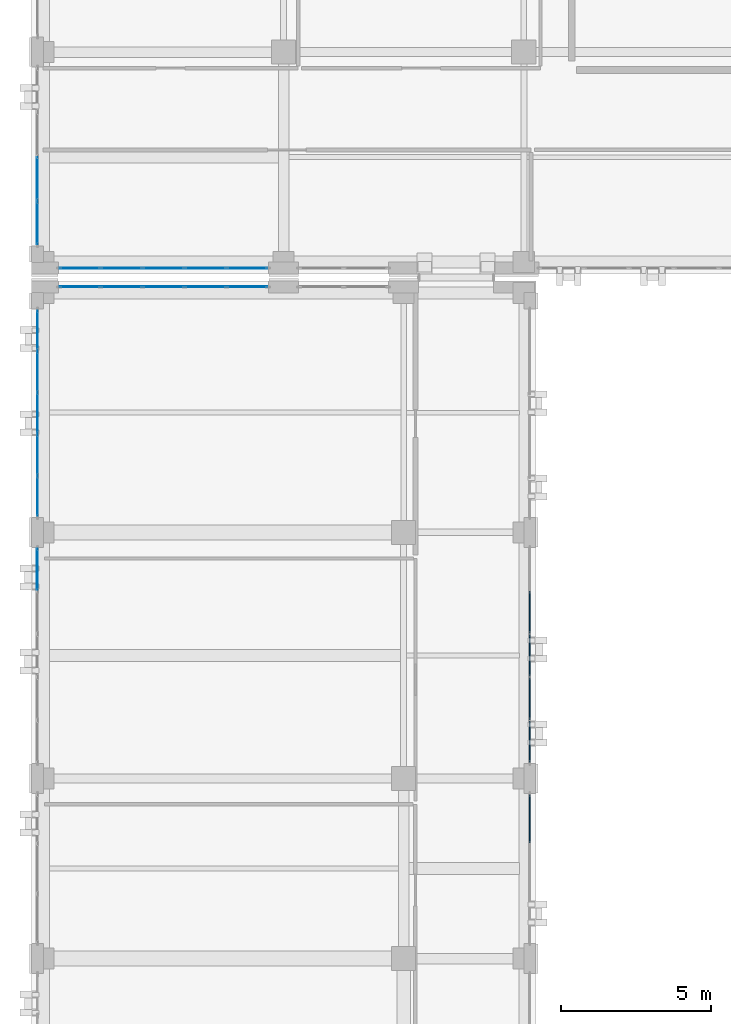
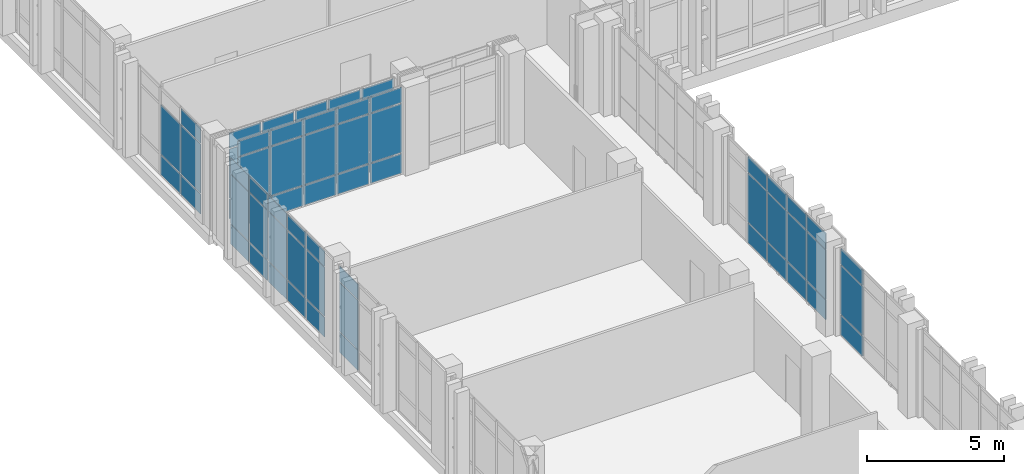
# One storey, part 121 of 158: 68 plates, 7 elements without a shape of their own.
"""IFC4 building model written with IfcOpenShell, lengths in metres."""

import ifcopenshell
import ifcopenshell.guid

model = None  # the IFC model being written
_history = None  # IfcOwnerHistory: only IFC2X3 demands one
_inside = {}  # id of a spatial element -> (the spatial element, [elements in it])
_under = {}  # id of a project, library or spatial element -> (it, [spatial elements below it])
_declared = {}  # id of a project -> (the project, [libraries it declares])
_typed = {}  # id of a type object -> (the type object, [elements of that type])
_made_of = {}  # id of a material, layer set ... -> (it, [elements and type objects made of it])


def new_model(schema):
    """Start an empty IFC model of exactly this schema.

    Asked for "IFC4X3", IfcOpenShell would pick the latest addendum, in which some entities
    have other attributes; the version numbers below select the first issue.
    IFC2X3 requires an IfcOwnerHistory on every rooted entity: one is made here for all.
    """
    global model, _history
    if schema == "IFC4X3":
        model = ifcopenshell.file(schema_version=(4, 3, 0, 0))
    else:
        model = ifcopenshell.file(schema=schema)
    _inside.clear()
    _under.clear()
    _declared.clear()
    _typed.clear()
    _made_of.clear()
    _history = None
    if model.schema == "IFC2X3":
        org = make("IfcOrganization", Name="unknown")
        user = make(
            "IfcPersonAndOrganization",
            ThePerson=make("IfcPerson", FamilyName="unknown"),
            TheOrganization=org,
        )
        app = make(
            "IfcApplication",
            ApplicationDeveloper=org,
            Version="unknown",
            ApplicationFullName="unknown",
            ApplicationIdentifier="unknown",
        )
        _history = make(
            "IfcOwnerHistory",
            OwningUser=user,
            OwningApplication=app,
            ChangeAction="ADDED",
            CreationDate=0,
        )
    return model


def make(cls, **values):
    """One entity of the class cls with the attributes given. An attribute that is None is left unset."""
    return model.create_entity(
        cls, **{name: value for name, value in values.items() if value is not None}
    )


def rooted(cls, **values):
    """An entity with a GlobalId (a new one), such as an element, a storey or a relation."""
    return make(cls, GlobalId=ifcopenshell.guid.new(), OwnerHistory=_history, **values)


def si_unit(unit_type, name, prefix=None):
    """IfcSIUnit, for example si_unit("LENGTHUNIT", "METRE", prefix="MILLI")."""
    return make("IfcSIUnit", UnitType=unit_type, Prefix=prefix, Name=name)


def assignment(units):
    """IfcUnitAssignment: the units of a project."""
    return None if units is None else make("IfcUnitAssignment", Units=units)


def point(xyz):
    """IfcCartesianPoint."""
    return None if xyz is None else make("IfcCartesianPoint", Coordinates=xyz)


def direction(xyz):
    """IfcDirection."""
    return None if xyz is None else make("IfcDirection", DirectionRatios=xyz)


def frame(location, z_axis=None, x_axis=None):
    """IfcAxis2Placement3D, a coordinate frame: its origin and axes. An axis left out is left unset."""
    return make(
        "IfcAxis2Placement3D",
        Location=point(location),
        Axis=direction(z_axis),
        RefDirection=direction(x_axis),
    )


def frame_2d(location, x_axis=None):
    """IfcAxis2Placement2D, a coordinate frame in the plane: its origin and x axis."""
    return make(
        "IfcAxis2Placement2D", Location=point(location), RefDirection=direction(x_axis)
    )


def origin():
    """The frame at (0, 0, 0) with its axes left unset."""
    return frame((0.0, 0.0, 0.0))


def origin_2d():
    """The frame at (0, 0) in the plane with its x axis left unset."""
    return frame_2d((0.0, 0.0))


def place(relative_to, where):
    """IfcLocalPlacement: puts the frame where relative to a parent placement (None: the world)."""
    return make(
        "IfcLocalPlacement", PlacementRelTo=relative_to, RelativePlacement=where
    )


def context(
    kind, dimensions, precision=None, world=None, true_north=None, identifier=None
):
    """IfcGeometricRepresentationContext, for example the 3D "Model" context."""
    return make(
        "IfcGeometricRepresentationContext",
        ContextIdentifier=identifier,
        ContextType=kind,
        CoordinateSpaceDimension=dimensions,
        Precision=precision,
        WorldCoordinateSystem=world,
        TrueNorth=true_north,
    )


def subcontext(parent, identifier, kind, view, scale=None):
    """IfcGeometricRepresentationSubContext, for example "Body" below "Model"."""
    return make(
        "IfcGeometricRepresentationSubContext",
        ContextIdentifier=identifier,
        ContextType=kind,
        ParentContext=parent,
        TargetScale=scale,
        TargetView=view,
    )


def project(units=None, contexts=None):
    """IfcProject with its units and contexts."""
    return rooted(
        "IfcProject",
        Name="project",
        RepresentationContexts=contexts,
        UnitsInContext=assignment(units),
    )


def spatial(cls, under=None, at=None, **own):
    """A site, building, storey or space (cls), placed at a placement, below another one or the project."""
    s = rooted(cls, ObjectPlacement=at, **own)
    if under is not None:
        _under.setdefault(under.id(), (under, []))[1].append(s)
    return s


def profile(cls, at=None, kind="AREA", **sizes):
    """A parametric profile (cls). Its sizes go by their IFC names, for example OverallWidth=200.0."""
    return make(cls, ProfileType=kind, Position=at, **sizes)


def rectangle(**sizes):
    """IfcRectangleProfileDef."""
    return profile("IfcRectangleProfileDef", **sizes)


def extrude(swept, where, along, depth):
    """IfcExtrudedAreaSolid: the profile swept, set in the frame where, extruded along a direction by depth."""
    return make(
        "IfcExtrudedAreaSolid",
        SweptArea=swept,
        Position=where,
        ExtrudedDirection=direction(along),
        Depth=depth,
    )


def shape(context_of_items, identifier, shape_type, items):
    """IfcShapeRepresentation: the items that make up one representation, for example the "Body"."""
    return make(
        "IfcShapeRepresentation",
        ContextOfItems=context_of_items,
        RepresentationIdentifier=identifier,
        RepresentationType=shape_type,
        Items=items,
    )


def material(Name=None, Category=None):
    """IfcMaterial."""
    return make("IfcMaterial", Name=Name, Category=Category)


def layer(
    of_material, thickness, ventilated=None, Name=None, Category=None, Priority=None
):
    """IfcMaterialLayer: one layer of a wall or slab, of a material (None: an air gap)."""
    return make(
        "IfcMaterialLayer",
        Material=of_material,
        LayerThickness=thickness,
        IsVentilated=ventilated,
        Name=Name,
        Category=Category,
        Priority=Priority,
    )


def layer_set(layers, Name=None):
    """IfcMaterialLayerSet."""
    return make("IfcMaterialLayerSet", MaterialLayers=layers, LayerSetName=Name)


def made_of(thing, what):
    """Note that an element or type object is made of a material, layer set ...; save() writes the relation."""
    if what is not None:
        _made_of.setdefault(what.id(), (what, []))[1].append(thing)
    return thing


def type_object(cls, material=None, **own):
    """A type object (cls), such as IfcWallType, which elements share."""
    return made_of(rooted(cls, **own), material)


def element(
    cls,
    number,
    at=None,
    inside=None,
    cuts=None,
    type_object=None,
    material=None,
    context=None,
    identifier="Body",
    shape_type=None,
    held_by="IfcProductDefinitionShape",
    body=None,
    shapes=None,
    **own,
):
    """One element of the class cls, such as IfcWall. Its Tag is "e" and its number.

    at: its placement. inside: the storey or other place that contains it. cuts: it is an
    opening in that element (IfcRelVoidsElement). A single representation is given by context,
    identifier, shape_type and body (its items); several are given by shapes. held_by: the class
    of the entity that holds the representations. save() writes the other relations.
    """
    e = rooted(cls, Tag="e%d" % number, ObjectPlacement=at, **own)
    if body is not None:
        shapes = [shape(context, identifier, shape_type, body)]
    if shapes is not None:
        e.Representation = make(held_by, Representations=shapes)
    if inside is not None:
        _inside.setdefault(inside.id(), (inside, []))[1].append(e)
    if cuts is not None:
        rooted(
            "IfcRelVoidsElement", RelatingBuildingElement=cuts, RelatedOpeningElement=e
        )
    if type_object is not None:
        _typed.setdefault(type_object.id(), (type_object, []))[1].append(e)
    return made_of(e, material)


def aggregate(whole, parts):
    """IfcRelAggregates: a whole, such as a stair, and the parts it consists of."""
    return rooted("IfcRelAggregates", RelatingObject=whole, RelatedObjects=parts)


def save(model, path):
    """Write the relations noted so far, then the file.

    IfcRelAggregates (storeys below a building ...), IfcRelContainedInSpatialStructure (elements
    in a storey), IfcRelDefinesByType, IfcRelAssociatesMaterial and IfcRelDeclares: one each for
    every whole, place, type object, material and project.
    """
    for whole, parts in _under.values():
        aggregate(whole, parts)
    for where, things in _inside.values():
        rooted(
            "IfcRelContainedInSpatialStructure",
            RelatedElements=things,
            RelatingStructure=where,
        )
    for kind, things in _typed.values():
        rooted("IfcRelDefinesByType", RelatedObjects=things, RelatingType=kind)
    for what, things in _made_of.values():
        rooted("IfcRelAssociatesMaterial", RelatedObjects=things, RelatingMaterial=what)
    for by, libraries in _declared.values():
        rooted("IfcRelDeclares", RelatingContext=by, RelatedDefinitions=libraries)
    model.write(path)


model = new_model("IFC4")

# Units and contexts
model_context = context("Model", 3, precision=1e-05, world=origin(), true_north=direction((0.0, 1.0)))
body_context = subcontext(model_context, "Body", "Model", "MODEL_VIEW")
ifc_project = project(units=[si_unit("LENGTHUNIT", "METRE"), si_unit("AREAUNIT", "SQUARE_METRE"), si_unit("VOLUMEUNIT", "CUBIC_METRE"), si_unit("PLANEANGLEUNIT", "RADIAN"), si_unit("MASSUNIT", "GRAM", prefix="KILO")], contexts=[model_context])

# Site, building, storey
site_placement = place(None, origin())
site = spatial("IfcSite", under=ifc_project, at=site_placement, CompositionType="ELEMENT")
building_placement = place(site_placement, origin())
building = spatial("IfcBuilding", under=site, at=building_placement, Name="Qalavern Law Courts", CompositionType="ELEMENT")
storey_placement = place(building_placement, frame((0.0, 0.0, 18.60009765625)))
storey = spatial("IfcBuildingStorey", under=building, at=storey_placement, Name="L04", CompositionType="ELEMENT", Elevation=18.60009765625)

# Curtain wall, plates
ifc_material_1 = material(Name="Anodised aluminium and insulated glazing", Category="aluminium")
ifc_layer_1 = layer(ifc_material_1, 0.159912109375)
ifc_layer_set_1 = layer_set([ifc_layer_1], Name="Anodised aluminium and insulated glazing")
curtain_wall_type_1 = type_object("IfcCurtainWallType", Name="ENV-CW-CHAMB", PredefinedType="USERDEFINED", material=ifc_layer_set_1)
curtain_wall_1_placement = place(storey_placement, origin())
curtain_wall_1 = element("IfcCurtainWall", 1, at=curtain_wall_1_placement, inside=storey, type_object=curtain_wall_type_1, Name="V3 unitised curtain wall L04 west 1", ObjectType="UNITISED CURTAIN WALL", PredefinedType="USERDEFINED")
ifc_material_2 = material(Name="Insulated low-E acoustic glazing", Category="glass")
ifc_layer_2 = layer(ifc_material_2, 0.02392578125)
ifc_layer_set_2 = layer_set([ifc_layer_2], Name="Insulated low-E acoustic glazing")
plate_type_1 = type_object("IfcPlateType", Name="ENV-CWP-24", PredefinedType="CURTAIN_PANEL", material=ifc_layer_set_2)
plate_1_placement = place(storey_placement, frame((2.199951171875, 94.32958984375, 0.0478515625), z_axis=(0.0, 0.0, 1.0), x_axis=(0.0, -1.0, 0.0)))
plate_1 = element("IfcPlate", 2, at=plate_1_placement, type_object=plate_type_1, Name="CW-04 panel 1.1", PredefinedType="CURTAIN_PANEL", context=body_context, shape_type="SweptSolid", body=[
    extrude(rectangle(XDim=1.31494140625, YDim=0.02392578125, at=origin_2d()), origin(), (0.0, 0.0, 1.0), 0.8779296875),
])
plate_2_placement = place(storey_placement, frame((2.199951171875, 94.32958984375, 0.97412109375), z_axis=(0.0, 0.0, 1.0), x_axis=(0.0, -1.0, 0.0)))
plate_2 = element("IfcPlate", 3, at=plate_2_placement, type_object=plate_type_1, Name="CW-04 panel 1.2", PredefinedType="CURTAIN_PANEL", context=body_context, shape_type="SweptSolid", body=[
    extrude(rectangle(XDim=1.31494140625, YDim=0.02392578125, at=origin_2d()), origin(), (0.0, 0.0, 1.0), 2.177001953125),
])
plate_3_placement = place(storey_placement, frame((2.199951171875, 94.32958984375, 3.19873046875), z_axis=(0.0, 0.0, 1.0), x_axis=(0.0, -1.0, 0.0)))
plate_3 = element("IfcPlate", 4, at=plate_3_placement, type_object=plate_type_1, Name="CW-04 panel 1.3", PredefinedType="CURTAIN_PANEL", context=body_context, shape_type="SweptSolid", body=[
    extrude(rectangle(XDim=1.31494140625, YDim=0.02392578125, at=origin_2d()), origin(), (0.0, 0.0, 1.0), 0.677978515625),
])
plate_4_placement = place(storey_placement, frame((2.199951171875, 92.95458984375, 0.0478515625), z_axis=(0.0, 0.0, 1.0), x_axis=(0.0, -1.0, 0.0)))
plate_4 = element("IfcPlate", 5, at=plate_4_placement, type_object=plate_type_1, Name="CW-04 panel 2.1", PredefinedType="CURTAIN_PANEL", context=body_context, shape_type="SweptSolid", body=[
    extrude(rectangle(XDim=1.339111328125, YDim=0.02392578125, at=origin_2d()), origin(), (0.0, 0.0, 1.0), 0.8779296875),
])
plate_5_placement = place(storey_placement, frame((2.199951171875, 92.95458984375, 0.97412109375), z_axis=(0.0, 0.0, 1.0), x_axis=(0.0, -1.0, 0.0)))
plate_5 = element("IfcPlate", 6, at=plate_5_placement, type_object=plate_type_1, Name="CW-04 panel 2.2", PredefinedType="CURTAIN_PANEL", context=body_context, shape_type="SweptSolid", body=[
    extrude(rectangle(XDim=1.339111328125, YDim=0.02392578125, at=origin_2d()), origin(), (0.0, 0.0, 1.0), 2.177001953125),
])
plate_6_placement = place(storey_placement, frame((2.199951171875, 92.95458984375, 3.19873046875), z_axis=(0.0, 0.0, 1.0), x_axis=(0.0, -1.0, 0.0)))
plate_6 = element("IfcPlate", 7, at=plate_6_placement, type_object=plate_type_1, Name="CW-04 panel 2.3", PredefinedType="CURTAIN_PANEL", context=body_context, shape_type="SweptSolid", body=[
    extrude(rectangle(XDim=1.339111328125, YDim=0.02392578125, at=origin_2d()), origin(), (0.0, 0.0, 1.0), 0.677978515625),
])
plate_7_placement = place(storey_placement, frame((2.199951171875, 91.5673828125, 0.0478515625), z_axis=(0.0, 0.0, 1.0), x_axis=(0.0, -1.0, 0.0)))
plate_7 = element("IfcPlate", 8, at=plate_7_placement, type_object=plate_type_1, Name="CW-04 panel 3.1", PredefinedType="CURTAIN_PANEL", context=body_context, shape_type="SweptSolid", body=[
    extrude(rectangle(XDim=1.339111328125, YDim=0.02392578125, at=origin_2d()), origin(), (0.0, 0.0, 1.0), 0.8779296875),
])
plate_8_placement = place(storey_placement, frame((2.199951171875, 91.5673828125, 0.97412109375), z_axis=(0.0, 0.0, 1.0), x_axis=(0.0, -1.0, 0.0)))
plate_8 = element("IfcPlate", 9, at=plate_8_placement, type_object=plate_type_1, Name="CW-04 panel 3.2", PredefinedType="CURTAIN_PANEL", context=body_context, shape_type="SweptSolid", body=[
    extrude(rectangle(XDim=1.339111328125, YDim=0.02392578125, at=origin_2d()), origin(), (0.0, 0.0, 1.0), 2.177001953125),
])
plate_9_placement = place(storey_placement, frame((2.199951171875, 91.5673828125, 3.19873046875), z_axis=(0.0, 0.0, 1.0), x_axis=(0.0, -1.0, 0.0)))
plate_9 = element("IfcPlate", 10, at=plate_9_placement, type_object=plate_type_1, Name="CW-04 panel 3.3", PredefinedType="CURTAIN_PANEL", context=body_context, shape_type="SweptSolid", body=[
    extrude(rectangle(XDim=1.339111328125, YDim=0.02392578125, at=origin_2d()), origin(), (0.0, 0.0, 1.0), 0.677978515625),
])
plate_10_placement = place(storey_placement, frame((2.199951171875, 90.180419921875, 0.0478515625), z_axis=(0.0, 0.0, 1.0), x_axis=(0.0, -1.0, 0.0)))
plate_10 = element("IfcPlate", 11, at=plate_10_placement, type_object=plate_type_1, Name="CW-04 panel 4.1", PredefinedType="CURTAIN_PANEL", context=body_context, shape_type="SweptSolid", body=[
    extrude(rectangle(XDim=1.339111328125, YDim=0.02392578125, at=origin_2d()), origin(), (0.0, 0.0, 1.0), 0.8779296875),
])
plate_11_placement = place(storey_placement, frame((2.199951171875, 90.180419921875, 0.97412109375), z_axis=(0.0, 0.0, 1.0), x_axis=(0.0, -1.0, 0.0)))
plate_11 = element("IfcPlate", 12, at=plate_11_placement, type_object=plate_type_1, Name="CW-04 panel 4.2", PredefinedType="CURTAIN_PANEL", context=body_context, shape_type="SweptSolid", body=[
    extrude(rectangle(XDim=1.339111328125, YDim=0.02392578125, at=origin_2d()), origin(), (0.0, 0.0, 1.0), 2.177001953125),
])
plate_12_placement = place(storey_placement, frame((2.199951171875, 90.180419921875, 3.19873046875), z_axis=(0.0, 0.0, 1.0), x_axis=(0.0, -1.0, 0.0)))
plate_12 = element("IfcPlate", 13, at=plate_12_placement, type_object=plate_type_1, Name="CW-04 panel 4.3", PredefinedType="CURTAIN_PANEL", context=body_context, shape_type="SweptSolid", body=[
    extrude(rectangle(XDim=1.339111328125, YDim=0.02392578125, at=origin_2d()), origin(), (0.0, 0.0, 1.0), 0.677978515625),
])
plate_13_placement = place(storey_placement, frame((2.199951171875, 88.805419921875, 0.0478515625), z_axis=(0.0, 0.0, 1.0), x_axis=(0.0, -1.0, 0.0)))
plate_13 = element("IfcPlate", 14, at=plate_13_placement, type_object=plate_type_1, Name="CW-04 panel 5.1", PredefinedType="CURTAIN_PANEL", context=body_context, shape_type="SweptSolid", body=[
    extrude(rectangle(XDim=1.31494140625, YDim=0.02392578125, at=origin_2d()), origin(), (0.0, 0.0, 1.0), 0.8779296875),
])
plate_14_placement = place(storey_placement, frame((2.199951171875, 88.805419921875, 0.97412109375), z_axis=(0.0, 0.0, 1.0), x_axis=(0.0, -1.0, 0.0)))
plate_14 = element("IfcPlate", 15, at=plate_14_placement, type_object=plate_type_1, Name="CW-04 panel 5.2", PredefinedType="CURTAIN_PANEL", context=body_context, shape_type="SweptSolid", body=[
    extrude(rectangle(XDim=1.31494140625, YDim=0.02392578125, at=origin_2d()), origin(), (0.0, 0.0, 1.0), 2.177001953125),
])
plate_15_placement = place(storey_placement, frame((2.199951171875, 88.805419921875, 3.19873046875), z_axis=(0.0, 0.0, 1.0), x_axis=(0.0, -1.0, 0.0)))
plate_15 = element("IfcPlate", 16, at=plate_15_placement, type_object=plate_type_1, Name="CW-04 panel 5.3", PredefinedType="CURTAIN_PANEL", context=body_context, shape_type="SweptSolid", body=[
    extrude(rectangle(XDim=1.31494140625, YDim=0.02392578125, at=origin_2d()), origin(), (0.0, 0.0, 1.0), 0.677978515625),
])
aggregate(curtain_wall_1, [plate_1, plate_2, plate_3, plate_4, plate_5, plate_6, plate_7, plate_8, plate_9, plate_10, plate_11, plate_12, plate_13, plate_14, plate_15])

ifc_layer_3 = layer(ifc_material_1, 0.166015625)
ifc_layer_set_3 = layer_set([ifc_layer_3], Name="Anodised aluminium and insulated glazing")
curtain_wall_type_2 = type_object("IfcCurtainWallType", Name="ENV-CW-LIB", PredefinedType="USERDEFINED", material=ifc_layer_set_3)
curtain_wall_2_placement = place(storey_placement, origin())
curtain_wall_2 = element("IfcCurtainWall", 17, at=curtain_wall_2_placement, inside=storey, type_object=curtain_wall_type_2, Name="V5 unitised curtain wall L04 south 1", ObjectType="UNITISED CURTAIN WALL", PredefinedType="USERDEFINED")
plate_16_placement = place(storey_placement, frame((3.612060546875, 96.39990234375, 0.0478515625), z_axis=(0.0, 0.0, 1.0), x_axis=(1.0, 0.0, 0.0)))
plate_16 = element("IfcPlate", 18, at=plate_16_placement, type_object=plate_type_1, Name="CW-05 panel 1.1", PredefinedType="CURTAIN_PANEL", context=body_context, shape_type="SweptSolid", body=[
    extrude(rectangle(XDim=1.327880859375, YDim=0.02392578125, at=origin_2d()), origin(), (0.0, 0.0, 1.0), 0.8779296875),
])
plate_17_placement = place(storey_placement, frame((3.612060546875, 96.39990234375, 0.97412109375), z_axis=(0.0, 0.0, 1.0), x_axis=(1.0, 0.0, 0.0)))
plate_17 = element("IfcPlate", 19, at=plate_17_placement, type_object=plate_type_1, Name="CW-05 panel 1.2", PredefinedType="CURTAIN_PANEL", context=body_context, shape_type="SweptSolid", body=[
    extrude(rectangle(XDim=1.327880859375, YDim=0.02392578125, at=origin_2d()), origin(), (0.0, 0.0, 1.0), 2.177001953125),
])
plate_18_placement = place(storey_placement, frame((3.612060546875, 96.39990234375, 3.19873046875), z_axis=(0.0, 0.0, 1.0), x_axis=(1.0, 0.0, 0.0)))
plate_18 = element("IfcPlate", 20, at=plate_18_placement, type_object=plate_type_1, Name="CW-05 panel 1.3", PredefinedType="CURTAIN_PANEL", context=body_context, shape_type="SweptSolid", body=[
    extrude(rectangle(XDim=1.327880859375, YDim=0.02392578125, at=origin_2d()), origin(), (0.0, 0.0, 1.0), 0.677978515625),
])
plate_19_placement = place(storey_placement, frame((5.0, 96.39990234375, 0.0478515625), z_axis=(0.0, 0.0, 1.0), x_axis=(1.0, 0.0, 0.0)))
plate_19 = element("IfcPlate", 21, at=plate_19_placement, type_object=plate_type_1, Name="CW-05 panel 2.1", PredefinedType="CURTAIN_PANEL", context=body_context, shape_type="SweptSolid", body=[
    extrude(rectangle(XDim=1.35205078125, YDim=0.02392578125, at=origin_2d()), origin(), (0.0, 0.0, 1.0), 0.8779296875),
])
plate_20_placement = place(storey_placement, frame((5.0, 96.39990234375, 0.97412109375), z_axis=(0.0, 0.0, 1.0), x_axis=(1.0, 0.0, 0.0)))
plate_20 = element("IfcPlate", 22, at=plate_20_placement, type_object=plate_type_1, Name="CW-05 panel 2.2", PredefinedType="CURTAIN_PANEL", context=body_context, shape_type="SweptSolid", body=[
    extrude(rectangle(XDim=1.35205078125, YDim=0.02392578125, at=origin_2d()), origin(), (0.0, 0.0, 1.0), 2.177001953125),
])
plate_21_placement = place(storey_placement, frame((5.0, 96.39990234375, 3.19873046875), z_axis=(0.0, 0.0, 1.0), x_axis=(1.0, 0.0, 0.0)))
plate_21 = element("IfcPlate", 23, at=plate_21_placement, type_object=plate_type_1, Name="CW-05 panel 2.3", PredefinedType="CURTAIN_PANEL", context=body_context, shape_type="SweptSolid", body=[
    extrude(rectangle(XDim=1.35205078125, YDim=0.02392578125, at=origin_2d()), origin(), (0.0, 0.0, 1.0), 0.677978515625),
])
plate_22_placement = place(storey_placement, frame((6.39990234375, 96.39990234375, 0.0478515625), z_axis=(0.0, 0.0, 1.0), x_axis=(1.0, 0.0, 0.0)))
plate_22 = element("IfcPlate", 24, at=plate_22_placement, type_object=plate_type_1, Name="CW-05 panel 3.1", PredefinedType="CURTAIN_PANEL", context=body_context, shape_type="SweptSolid", body=[
    extrude(rectangle(XDim=1.35205078125, YDim=0.02392578125, at=origin_2d()), origin(), (0.0, 0.0, 1.0), 0.8779296875),
])
plate_23_placement = place(storey_placement, frame((6.39990234375, 96.39990234375, 0.97412109375), z_axis=(0.0, 0.0, 1.0), x_axis=(1.0, 0.0, 0.0)))
plate_23 = element("IfcPlate", 25, at=plate_23_placement, type_object=plate_type_1, Name="CW-05 panel 3.2", PredefinedType="CURTAIN_PANEL", context=body_context, shape_type="SweptSolid", body=[
    extrude(rectangle(XDim=1.35205078125, YDim=0.02392578125, at=origin_2d()), origin(), (0.0, 0.0, 1.0), 2.177001953125),
])
plate_24_placement = place(storey_placement, frame((6.39990234375, 96.39990234375, 3.19873046875), z_axis=(0.0, 0.0, 1.0), x_axis=(1.0, 0.0, 0.0)))
plate_24 = element("IfcPlate", 26, at=plate_24_placement, type_object=plate_type_1, Name="CW-05 panel 3.3", PredefinedType="CURTAIN_PANEL", context=body_context, shape_type="SweptSolid", body=[
    extrude(rectangle(XDim=1.35205078125, YDim=0.02392578125, at=origin_2d()), origin(), (0.0, 0.0, 1.0), 0.677978515625),
])
plate_25_placement = place(storey_placement, frame((7.800048828125, 96.39990234375, 0.0478515625), z_axis=(0.0, 0.0, 1.0), x_axis=(1.0, 0.0, 0.0)))
plate_25 = element("IfcPlate", 27, at=plate_25_placement, type_object=plate_type_1, Name="CW-05 panel 4.1", PredefinedType="CURTAIN_PANEL", context=body_context, shape_type="SweptSolid", body=[
    extrude(rectangle(XDim=1.35205078125, YDim=0.02392578125, at=origin_2d()), origin(), (0.0, 0.0, 1.0), 0.8779296875),
])
plate_26_placement = place(storey_placement, frame((7.800048828125, 96.39990234375, 0.97412109375), z_axis=(0.0, 0.0, 1.0), x_axis=(1.0, 0.0, 0.0)))
plate_26 = element("IfcPlate", 28, at=plate_26_placement, type_object=plate_type_1, Name="CW-05 panel 4.2", PredefinedType="CURTAIN_PANEL", context=body_context, shape_type="SweptSolid", body=[
    extrude(rectangle(XDim=1.35205078125, YDim=0.02392578125, at=origin_2d()), origin(), (0.0, 0.0, 1.0), 2.177001953125),
])
plate_27_placement = place(storey_placement, frame((7.800048828125, 96.39990234375, 3.19873046875), z_axis=(0.0, 0.0, 1.0), x_axis=(1.0, 0.0, 0.0)))
plate_27 = element("IfcPlate", 29, at=plate_27_placement, type_object=plate_type_1, Name="CW-05 panel 4.3", PredefinedType="CURTAIN_PANEL", context=body_context, shape_type="SweptSolid", body=[
    extrude(rectangle(XDim=1.35205078125, YDim=0.02392578125, at=origin_2d()), origin(), (0.0, 0.0, 1.0), 0.677978515625),
])
plate_28_placement = place(storey_placement, frame((9.18798828125, 96.39990234375, 0.0478515625), z_axis=(0.0, 0.0, 1.0), x_axis=(1.0, 0.0, 0.0)))
plate_28 = element("IfcPlate", 30, at=plate_28_placement, type_object=plate_type_1, Name="CW-05 panel 5.1", PredefinedType="CURTAIN_PANEL", context=body_context, shape_type="SweptSolid", body=[
    extrude(rectangle(XDim=1.327880859375, YDim=0.02392578125, at=origin_2d()), origin(), (0.0, 0.0, 1.0), 0.8779296875),
])
plate_29_placement = place(storey_placement, frame((9.18798828125, 96.39990234375, 0.97412109375), z_axis=(0.0, 0.0, 1.0), x_axis=(1.0, 0.0, 0.0)))
plate_29 = element("IfcPlate", 31, at=plate_29_placement, type_object=plate_type_1, Name="CW-05 panel 5.2", PredefinedType="CURTAIN_PANEL", context=body_context, shape_type="SweptSolid", body=[
    extrude(rectangle(XDim=1.327880859375, YDim=0.02392578125, at=origin_2d()), origin(), (0.0, 0.0, 1.0), 2.177001953125),
])
plate_30_placement = place(storey_placement, frame((9.18798828125, 96.39990234375, 3.19873046875), z_axis=(0.0, 0.0, 1.0), x_axis=(1.0, 0.0, 0.0)))
plate_30 = element("IfcPlate", 32, at=plate_30_placement, type_object=plate_type_1, Name="CW-05 panel 5.3", PredefinedType="CURTAIN_PANEL", context=body_context, shape_type="SweptSolid", body=[
    extrude(rectangle(XDim=1.327880859375, YDim=0.02392578125, at=origin_2d()), origin(), (0.0, 0.0, 1.0), 0.677978515625),
])
aggregate(curtain_wall_2, [plate_16, plate_17, plate_18, plate_19, plate_20, plate_21, plate_22, plate_23, plate_24, plate_25, plate_26, plate_27, plate_28, plate_29, plate_30])

curtain_wall_3_placement = place(storey_placement, origin())
curtain_wall_3 = element("IfcCurtainWall", 33, at=curtain_wall_3_placement, inside=storey, type_object=curtain_wall_type_1, Name="V3 unitised curtain wall L04 west 2", ObjectType="UNITISED CURTAIN WALL", PredefinedType="USERDEFINED")
ifc_layer_4 = layer(ifc_material_2, 0.028076171875)
ifc_layer_set_4 = layer_set([ifc_layer_4], Name="Insulated low-E acoustic glazing")
plate_type_2 = type_object("IfcPlateType", Name="ENV-CWP-28", PredefinedType="CURTAIN_PANEL", material=ifc_layer_set_4)
plate_31_placement = place(storey_placement, frame((2.199951171875, 86.367919921875, 0.0478515625), z_axis=(0.0, 0.0, 1.0), x_axis=(0.0, -1.0, 0.0)))
plate_31 = element("IfcPlate", 34, at=plate_31_placement, type_object=plate_type_2, Name="CW-04 panel 1.1", PredefinedType="CURTAIN_PANEL", context=body_context, shape_type="SweptSolid", body=[
    extrude(rectangle(XDim=1.367919921875, YDim=0.028076171875, at=origin_2d()), origin(), (0.0, 0.0, 1.0), 0.8779296875),
])
plate_32_placement = place(storey_placement, frame((2.199951171875, 86.367919921875, 0.97412109375), z_axis=(0.0, 0.0, 1.0), x_axis=(0.0, -1.0, 0.0)))
plate_32 = element("IfcPlate", 35, at=plate_32_placement, type_object=plate_type_2, Name="CW-04 panel 1.2", PredefinedType="CURTAIN_PANEL", context=body_context, shape_type="SweptSolid", body=[
    extrude(rectangle(XDim=1.367919921875, YDim=0.028076171875, at=origin_2d()), origin(), (0.0, 0.0, 1.0), 2.177001953125),
])
plate_33_placement = place(storey_placement, frame((2.199951171875, 86.367919921875, 3.19873046875), z_axis=(0.0, 0.0, 1.0), x_axis=(0.0, -1.0, 0.0)))
plate_33 = element("IfcPlate", 36, at=plate_33_placement, type_object=plate_type_2, Name="CW-04 panel 1.3", PredefinedType="CURTAIN_PANEL", context=body_context, shape_type="SweptSolid", body=[
    extrude(rectangle(XDim=1.367919921875, YDim=0.028076171875, at=origin_2d()), origin(), (0.0, 0.0, 1.0), 0.677978515625),
])
aggregate(curtain_wall_3, [plate_31, plate_32, plate_33])

curtain_wall_4_placement = place(storey_placement, origin())
curtain_wall_4 = element("IfcCurtainWall", 37, at=curtain_wall_4_placement, inside=storey, type_object=curtain_wall_type_2, Name="V5 unitised curtain wall L04 west 2", ObjectType="UNITISED CURTAIN WALL", PredefinedType="USERDEFINED")
plate_34_placement = place(storey_placement, frame((2.199951171875, 99.378173828125, 0.0478515625), z_axis=(0.0, 0.0, 1.0), x_axis=(0.0, -1.0, 0.0)))
plate_34 = element("IfcPlate", 38, at=plate_34_placement, type_object=plate_type_2, Name="CW-05 panel 3.1", PredefinedType="CURTAIN_PANEL", context=body_context, shape_type="SweptSolid", body=[
    extrude(rectangle(XDim=1.440673828125, YDim=0.028076171875, at=origin_2d()), origin(), (0.0, 0.0, 1.0), 0.8779296875),
])
plate_35_placement = place(storey_placement, frame((2.199951171875, 99.378173828125, 0.97412109375), z_axis=(0.0, 0.0, 1.0), x_axis=(0.0, -1.0, 0.0)))
plate_35 = element("IfcPlate", 39, at=plate_35_placement, type_object=plate_type_2, Name="CW-05 panel 3.2", PredefinedType="CURTAIN_PANEL", context=body_context, shape_type="SweptSolid", body=[
    extrude(rectangle(XDim=1.440673828125, YDim=0.028076171875, at=origin_2d()), origin(), (0.0, 0.0, 1.0), 2.177001953125),
])
plate_36_placement = place(storey_placement, frame((2.199951171875, 97.9013671875, 0.0478515625), z_axis=(0.0, 0.0, 1.0), x_axis=(0.0, -1.0, 0.0)))
plate_36 = element("IfcPlate", 40, at=plate_36_placement, type_object=plate_type_2, Name="CW-05 panel 4.1", PredefinedType="CURTAIN_PANEL", context=body_context, shape_type="SweptSolid", body=[
    extrude(rectangle(XDim=1.416748046875, YDim=0.028076171875, at=origin_2d()), origin(), (0.0, 0.0, 1.0), 0.8779296875),
])
plate_37_placement = place(storey_placement, frame((2.199951171875, 97.9013671875, 0.97412109375), z_axis=(0.0, 0.0, 1.0), x_axis=(0.0, -1.0, 0.0)))
plate_37 = element("IfcPlate", 41, at=plate_37_placement, type_object=plate_type_2, Name="CW-05 panel 4.2", PredefinedType="CURTAIN_PANEL", context=body_context, shape_type="SweptSolid", body=[
    extrude(rectangle(XDim=1.416748046875, YDim=0.028076171875, at=origin_2d()), origin(), (0.0, 0.0, 1.0), 2.177001953125),
])
plate_38_placement = place(storey_placement, frame((2.199951171875, 97.9013671875, 3.19873046875), z_axis=(0.0, 0.0, 1.0), x_axis=(0.0, -1.0, 0.0)))
plate_38 = element("IfcPlate", 42, at=plate_38_placement, type_object=plate_type_2, Name="CW-05 panel 4.3", PredefinedType="CURTAIN_PANEL", context=body_context, shape_type="SweptSolid", body=[
    extrude(rectangle(XDim=1.416748046875, YDim=0.028076171875, at=origin_2d()), origin(), (0.0, 0.0, 1.0), 0.677978515625),
])
aggregate(curtain_wall_4, [plate_34, plate_35, plate_36, plate_37, plate_38])

curtain_wall_5_placement = place(storey_placement, origin())
curtain_wall_5 = element("IfcCurtainWall", 43, at=curtain_wall_5_placement, inside=storey, type_object=curtain_wall_type_1, Name="V3 unitised curtain wall L04 north 2", ObjectType="UNITISED CURTAIN WALL", PredefinedType="USERDEFINED")
ifc_layer_5 = layer(ifc_material_2, 0.031982421875)
ifc_layer_set_5 = layer_set([ifc_layer_5], Name="Insulated low-E acoustic glazing")
plate_type_3 = type_object("IfcPlateType", Name="ENV-CWP-32", PredefinedType="CURTAIN_PANEL", material=ifc_layer_set_5)
plate_39_placement = place(storey_placement, frame((9.18798828125, 95.780029296875, 0.0478515625), z_axis=(0.0, 0.0, 1.0), x_axis=(-1.0, 0.0, 0.0)))
plate_39 = element("IfcPlate", 44, at=plate_39_placement, type_object=plate_type_3, Name="CW-04 panel 1.1", PredefinedType="CURTAIN_PANEL", context=body_context, shape_type="SweptSolid", body=[
    extrude(rectangle(XDim=1.327880859375, YDim=0.031982421875, at=origin_2d()), origin(), (0.0, 0.0, 1.0), 0.8779296875),
])
plate_40_placement = place(storey_placement, frame((9.18798828125, 95.780029296875, 0.97412109375), z_axis=(0.0, 0.0, 1.0), x_axis=(-1.0, 0.0, 0.0)))
plate_40 = element("IfcPlate", 45, at=plate_40_placement, type_object=plate_type_3, Name="CW-04 panel 1.2", PredefinedType="CURTAIN_PANEL", context=body_context, shape_type="SweptSolid", body=[
    extrude(rectangle(XDim=1.327880859375, YDim=0.031982421875, at=origin_2d()), origin(), (0.0, 0.0, 1.0), 2.177001953125),
])
plate_41_placement = place(storey_placement, frame((9.18798828125, 95.780029296875, 3.19873046875), z_axis=(0.0, 0.0, 1.0), x_axis=(-1.0, 0.0, 0.0)))
plate_41 = element("IfcPlate", 46, at=plate_41_placement, type_object=plate_type_3, Name="CW-04 panel 1.3", PredefinedType="CURTAIN_PANEL", context=body_context, shape_type="SweptSolid", body=[
    extrude(rectangle(XDim=1.327880859375, YDim=0.031982421875, at=origin_2d()), origin(), (0.0, 0.0, 1.0), 0.677978515625),
])
plate_42_placement = place(storey_placement, frame((7.800048828125, 95.780029296875, 0.0478515625), z_axis=(0.0, 0.0, 1.0), x_axis=(-1.0, 0.0, 0.0)))
plate_42 = element("IfcPlate", 47, at=plate_42_placement, type_object=plate_type_3, Name="CW-04 panel 2.1", PredefinedType="CURTAIN_PANEL", context=body_context, shape_type="SweptSolid", body=[
    extrude(rectangle(XDim=1.35205078125, YDim=0.031982421875, at=origin_2d()), origin(), (0.0, 0.0, 1.0), 0.8779296875),
])
plate_43_placement = place(storey_placement, frame((7.800048828125, 95.780029296875, 0.97412109375), z_axis=(0.0, 0.0, 1.0), x_axis=(-1.0, 0.0, 0.0)))
plate_43 = element("IfcPlate", 48, at=plate_43_placement, type_object=plate_type_3, Name="CW-04 panel 2.2", PredefinedType="CURTAIN_PANEL", context=body_context, shape_type="SweptSolid", body=[
    extrude(rectangle(XDim=1.35205078125, YDim=0.031982421875, at=origin_2d()), origin(), (0.0, 0.0, 1.0), 2.177001953125),
])
plate_44_placement = place(storey_placement, frame((7.800048828125, 95.780029296875, 3.19873046875), z_axis=(0.0, 0.0, 1.0), x_axis=(-1.0, 0.0, 0.0)))
plate_44 = element("IfcPlate", 49, at=plate_44_placement, type_object=plate_type_3, Name="CW-04 panel 2.3", PredefinedType="CURTAIN_PANEL", context=body_context, shape_type="SweptSolid", body=[
    extrude(rectangle(XDim=1.35205078125, YDim=0.031982421875, at=origin_2d()), origin(), (0.0, 0.0, 1.0), 0.677978515625),
])
plate_45_placement = place(storey_placement, frame((6.39990234375, 95.780029296875, 0.0478515625), z_axis=(0.0, 0.0, 1.0), x_axis=(-1.0, 0.0, 0.0)))
plate_45 = element("IfcPlate", 50, at=plate_45_placement, type_object=plate_type_3, Name="CW-04 panel 3.1", PredefinedType="CURTAIN_PANEL", context=body_context, shape_type="SweptSolid", body=[
    extrude(rectangle(XDim=1.35205078125, YDim=0.031982421875, at=origin_2d()), origin(), (0.0, 0.0, 1.0), 0.8779296875),
])
plate_46_placement = place(storey_placement, frame((6.39990234375, 95.780029296875, 0.97412109375), z_axis=(0.0, 0.0, 1.0), x_axis=(-1.0, 0.0, 0.0)))
plate_46 = element("IfcPlate", 51, at=plate_46_placement, type_object=plate_type_3, Name="CW-04 panel 3.2", PredefinedType="CURTAIN_PANEL", context=body_context, shape_type="SweptSolid", body=[
    extrude(rectangle(XDim=1.35205078125, YDim=0.031982421875, at=origin_2d()), origin(), (0.0, 0.0, 1.0), 2.177001953125),
])
plate_47_placement = place(storey_placement, frame((6.39990234375, 95.780029296875, 3.19873046875), z_axis=(0.0, 0.0, 1.0), x_axis=(-1.0, 0.0, 0.0)))
plate_47 = element("IfcPlate", 52, at=plate_47_placement, type_object=plate_type_3, Name="CW-04 panel 3.3", PredefinedType="CURTAIN_PANEL", context=body_context, shape_type="SweptSolid", body=[
    extrude(rectangle(XDim=1.35205078125, YDim=0.031982421875, at=origin_2d()), origin(), (0.0, 0.0, 1.0), 0.677978515625),
])
plate_48_placement = place(storey_placement, frame((5.0, 95.780029296875, 0.0478515625), z_axis=(0.0, 0.0, 1.0), x_axis=(-1.0, 0.0, 0.0)))
plate_48 = element("IfcPlate", 53, at=plate_48_placement, type_object=plate_type_3, Name="CW-04 panel 4.1", PredefinedType="CURTAIN_PANEL", context=body_context, shape_type="SweptSolid", body=[
    extrude(rectangle(XDim=1.35205078125, YDim=0.031982421875, at=origin_2d()), origin(), (0.0, 0.0, 1.0), 0.8779296875),
])
plate_49_placement = place(storey_placement, frame((5.0, 95.780029296875, 0.97412109375), z_axis=(0.0, 0.0, 1.0), x_axis=(-1.0, 0.0, 0.0)))
plate_49 = element("IfcPlate", 54, at=plate_49_placement, type_object=plate_type_3, Name="CW-04 panel 4.2", PredefinedType="CURTAIN_PANEL", context=body_context, shape_type="SweptSolid", body=[
    extrude(rectangle(XDim=1.35205078125, YDim=0.031982421875, at=origin_2d()), origin(), (0.0, 0.0, 1.0), 2.177001953125),
])
plate_50_placement = place(storey_placement, frame((5.0, 95.780029296875, 3.19873046875), z_axis=(0.0, 0.0, 1.0), x_axis=(-1.0, 0.0, 0.0)))
plate_50 = element("IfcPlate", 55, at=plate_50_placement, type_object=plate_type_3, Name="CW-04 panel 4.3", PredefinedType="CURTAIN_PANEL", context=body_context, shape_type="SweptSolid", body=[
    extrude(rectangle(XDim=1.35205078125, YDim=0.031982421875, at=origin_2d()), origin(), (0.0, 0.0, 1.0), 0.677978515625),
])
plate_51_placement = place(storey_placement, frame((3.612060546875, 95.780029296875, 0.0478515625), z_axis=(0.0, 0.0, 1.0), x_axis=(-1.0, 0.0, 0.0)))
plate_51 = element("IfcPlate", 56, at=plate_51_placement, type_object=plate_type_3, Name="CW-04 panel 5.1", PredefinedType="CURTAIN_PANEL", context=body_context, shape_type="SweptSolid", body=[
    extrude(rectangle(XDim=1.327880859375, YDim=0.031982421875, at=origin_2d()), origin(), (0.0, 0.0, 1.0), 0.8779296875),
])
plate_52_placement = place(storey_placement, frame((3.612060546875, 95.780029296875, 0.97412109375), z_axis=(0.0, 0.0, 1.0), x_axis=(-1.0, 0.0, 0.0)))
plate_52 = element("IfcPlate", 57, at=plate_52_placement, type_object=plate_type_3, Name="CW-04 panel 5.2", PredefinedType="CURTAIN_PANEL", context=body_context, shape_type="SweptSolid", body=[
    extrude(rectangle(XDim=1.327880859375, YDim=0.031982421875, at=origin_2d()), origin(), (0.0, 0.0, 1.0), 2.177001953125),
])
plate_53_placement = place(storey_placement, frame((3.612060546875, 95.780029296875, 3.19873046875), z_axis=(0.0, 0.0, 1.0), x_axis=(-1.0, 0.0, 0.0)))
plate_53 = element("IfcPlate", 58, at=plate_53_placement, type_object=plate_type_3, Name="CW-04 panel 5.3", PredefinedType="CURTAIN_PANEL", context=body_context, shape_type="SweptSolid", body=[
    extrude(rectangle(XDim=1.327880859375, YDim=0.031982421875, at=origin_2d()), origin(), (0.0, 0.0, 1.0), 0.677978515625),
])
aggregate(curtain_wall_5, [plate_39, plate_40, plate_41, plate_42, plate_43, plate_44, plate_45, plate_46, plate_47, plate_48, plate_49, plate_50, plate_51, plate_52, plate_53])

curtain_wall_6_placement = place(storey_placement, origin())
curtain_wall_6 = element("IfcCurtainWall", 59, at=curtain_wall_6_placement, inside=storey, type_object=curtain_wall_type_1, Name="V3 unitised curtain wall L04 east 5", ObjectType="UNITISED CURTAIN WALL", PredefinedType="USERDEFINED")
ifc_layer_6 = layer(ifc_material_2, 0.0400390625)
ifc_layer_set_6 = layer_set([ifc_layer_6], Name="Insulated low-E acoustic glazing")
plate_type_4 = type_object("IfcPlateType", Name="ENV-CWP-40", PredefinedType="CURTAIN_PANEL", material=ifc_layer_set_6)
plate_54_placement = place(storey_placement, frame((18.60009765625, 78.0546875, 0.0478515625), z_axis=(0.0, 0.0, 1.0), x_axis=(0.0, 1.0, 0.0)))
plate_54 = element("IfcPlate", 60, at=plate_54_placement, type_object=plate_type_4, Name="CW-04 panel 3.1", PredefinedType="CURTAIN_PANEL", context=body_context, shape_type="SweptSolid", body=[
    extrude(rectangle(XDim=1.5947265625, YDim=0.0400390625, at=origin_2d()), origin(), (0.0, 0.0, 1.0), 0.8779296875),
])
plate_55_placement = place(storey_placement, frame((18.60009765625, 78.0546875, 0.97412109375), z_axis=(0.0, 0.0, 1.0), x_axis=(0.0, 1.0, 0.0)))
plate_55 = element("IfcPlate", 61, at=plate_55_placement, type_object=plate_type_4, Name="CW-04 panel 3.2", PredefinedType="CURTAIN_PANEL", context=body_context, shape_type="SweptSolid", body=[
    extrude(rectangle(XDim=1.5947265625, YDim=0.0400390625, at=origin_2d()), origin(), (0.0, 0.0, 1.0), 2.177001953125),
])
plate_56_placement = place(storey_placement, frame((18.60009765625, 78.0546875, 3.19873046875), z_axis=(0.0, 0.0, 1.0), x_axis=(0.0, 1.0, 0.0)))
plate_56 = element("IfcPlate", 62, at=plate_56_placement, type_object=plate_type_4, Name="CW-04 panel 3.3", PredefinedType="CURTAIN_PANEL", context=body_context, shape_type="SweptSolid", body=[
    extrude(rectangle(XDim=1.5947265625, YDim=0.0400390625, at=origin_2d()), origin(), (0.0, 0.0, 1.0), 0.677978515625),
])
aggregate(curtain_wall_6, [plate_54, plate_55, plate_56])

curtain_wall_7_placement = place(storey_placement, origin())
curtain_wall_7 = element("IfcCurtainWall", 63, at=curtain_wall_7_placement, inside=storey, type_object=curtain_wall_type_1, Name="V3 unitised curtain wall L04 east 6", ObjectType="UNITISED CURTAIN WALL", PredefinedType="USERDEFINED")
ifc_layer_7 = layer(ifc_material_2, 0.0439453125)
ifc_layer_set_7 = layer_set([ifc_layer_7], Name="Insulated low-E acoustic glazing")
plate_type_5 = type_object("IfcPlateType", Name="ENV-CWP-44", PredefinedType="CURTAIN_PANEL", material=ifc_layer_set_7)
plate_57_placement = place(storey_placement, frame((18.60009765625, 80.632080078125, 0.0478515625), z_axis=(0.0, 0.0, 1.0), x_axis=(0.0, 1.0, 0.0)))
plate_57 = element("IfcPlate", 64, at=plate_57_placement, type_object=plate_type_5, Name="CW-04 panel 1.1", PredefinedType="CURTAIN_PANEL", context=body_context, shape_type="SweptSolid", body=[
    extrude(rectangle(XDim=1.367919921875, YDim=0.0439453125, at=origin_2d()), origin(), (0.0, 0.0, 1.0), 0.8779296875),
])
plate_58_placement = place(storey_placement, frame((18.60009765625, 80.632080078125, 0.97412109375), z_axis=(0.0, 0.0, 1.0), x_axis=(0.0, 1.0, 0.0)))
plate_58 = element("IfcPlate", 65, at=plate_58_placement, type_object=plate_type_5, Name="CW-04 panel 1.2", PredefinedType="CURTAIN_PANEL", context=body_context, shape_type="SweptSolid", body=[
    extrude(rectangle(XDim=1.367919921875, YDim=0.0439453125, at=origin_2d()), origin(), (0.0, 0.0, 1.0), 2.177001953125),
])
plate_59_placement = place(storey_placement, frame((18.60009765625, 80.632080078125, 3.19873046875), z_axis=(0.0, 0.0, 1.0), x_axis=(0.0, 1.0, 0.0)))
plate_59 = element("IfcPlate", 66, at=plate_59_placement, type_object=plate_type_5, Name="CW-04 panel 1.3", PredefinedType="CURTAIN_PANEL", context=body_context, shape_type="SweptSolid", body=[
    extrude(rectangle(XDim=1.367919921875, YDim=0.0439453125, at=origin_2d()), origin(), (0.0, 0.0, 1.0), 0.677978515625),
])
plate_60_placement = place(storey_placement, frame((18.60009765625, 82.06005859375, 0.0478515625), z_axis=(0.0, 0.0, 1.0), x_axis=(0.0, 1.0, 0.0)))
plate_60 = element("IfcPlate", 67, at=plate_60_placement, type_object=plate_type_5, Name="CW-04 panel 2.1", PredefinedType="CURTAIN_PANEL", context=body_context, shape_type="SweptSolid", body=[
    extrude(rectangle(XDim=1.39208984375, YDim=0.0439453125, at=origin_2d()), origin(), (0.0, 0.0, 1.0), 0.8779296875),
])
plate_61_placement = place(storey_placement, frame((18.60009765625, 82.06005859375, 0.97412109375), z_axis=(0.0, 0.0, 1.0), x_axis=(0.0, 1.0, 0.0)))
plate_61 = element("IfcPlate", 68, at=plate_61_placement, type_object=plate_type_5, Name="CW-04 panel 2.2", PredefinedType="CURTAIN_PANEL", context=body_context, shape_type="SweptSolid", body=[
    extrude(rectangle(XDim=1.39208984375, YDim=0.0439453125, at=origin_2d()), origin(), (0.0, 0.0, 1.0), 2.177001953125),
])
plate_62_placement = place(storey_placement, frame((18.60009765625, 82.06005859375, 3.19873046875), z_axis=(0.0, 0.0, 1.0), x_axis=(0.0, 1.0, 0.0)))
plate_62 = element("IfcPlate", 69, at=plate_62_placement, type_object=plate_type_5, Name="CW-04 panel 2.3", PredefinedType="CURTAIN_PANEL", context=body_context, shape_type="SweptSolid", body=[
    extrude(rectangle(XDim=1.39208984375, YDim=0.0439453125, at=origin_2d()), origin(), (0.0, 0.0, 1.0), 0.677978515625),
])
plate_63_placement = place(storey_placement, frame((18.60009765625, 83.5, 0.0478515625), z_axis=(0.0, 0.0, 1.0), x_axis=(0.0, 1.0, 0.0)))
plate_63 = element("IfcPlate", 70, at=plate_63_placement, type_object=plate_type_5, Name="CW-04 panel 3.1", PredefinedType="CURTAIN_PANEL", context=body_context, shape_type="SweptSolid", body=[
    extrude(rectangle(XDim=1.39208984375, YDim=0.0439453125, at=origin_2d()), origin(), (0.0, 0.0, 1.0), 0.8779296875),
])
plate_64_placement = place(storey_placement, frame((18.60009765625, 83.5, 0.97412109375), z_axis=(0.0, 0.0, 1.0), x_axis=(0.0, 1.0, 0.0)))
plate_64 = element("IfcPlate", 71, at=plate_64_placement, type_object=plate_type_5, Name="CW-04 panel 3.2", PredefinedType="CURTAIN_PANEL", context=body_context, shape_type="SweptSolid", body=[
    extrude(rectangle(XDim=1.39208984375, YDim=0.0439453125, at=origin_2d()), origin(), (0.0, 0.0, 1.0), 2.177001953125),
])
plate_65_placement = place(storey_placement, frame((18.60009765625, 83.5, 3.19873046875), z_axis=(0.0, 0.0, 1.0), x_axis=(0.0, 1.0, 0.0)))
plate_65 = element("IfcPlate", 72, at=plate_65_placement, type_object=plate_type_5, Name="CW-04 panel 3.3", PredefinedType="CURTAIN_PANEL", context=body_context, shape_type="SweptSolid", body=[
    extrude(rectangle(XDim=1.39208984375, YDim=0.0439453125, at=origin_2d()), origin(), (0.0, 0.0, 1.0), 0.677978515625),
])
plate_66_placement = place(storey_placement, frame((18.60009765625, 84.93994140625, 0.0478515625), z_axis=(0.0, 0.0, 1.0), x_axis=(0.0, 1.0, 0.0)))
plate_66 = element("IfcPlate", 73, at=plate_66_placement, type_object=plate_type_5, Name="CW-04 panel 4.1", PredefinedType="CURTAIN_PANEL", context=body_context, shape_type="SweptSolid", body=[
    extrude(rectangle(XDim=1.39208984375, YDim=0.0439453125, at=origin_2d()), origin(), (0.0, 0.0, 1.0), 0.8779296875),
])
plate_67_placement = place(storey_placement, frame((18.60009765625, 84.93994140625, 0.97412109375), z_axis=(0.0, 0.0, 1.0), x_axis=(0.0, 1.0, 0.0)))
plate_67 = element("IfcPlate", 74, at=plate_67_placement, type_object=plate_type_5, Name="CW-04 panel 4.2", PredefinedType="CURTAIN_PANEL", context=body_context, shape_type="SweptSolid", body=[
    extrude(rectangle(XDim=1.39208984375, YDim=0.0439453125, at=origin_2d()), origin(), (0.0, 0.0, 1.0), 2.177001953125),
])
plate_68_placement = place(storey_placement, frame((18.60009765625, 84.93994140625, 3.19873046875), z_axis=(0.0, 0.0, 1.0), x_axis=(0.0, 1.0, 0.0)))
plate_68 = element("IfcPlate", 75, at=plate_68_placement, type_object=plate_type_5, Name="CW-04 panel 4.3", PredefinedType="CURTAIN_PANEL", context=body_context, shape_type="SweptSolid", body=[
    extrude(rectangle(XDim=1.39208984375, YDim=0.0439453125, at=origin_2d()), origin(), (0.0, 0.0, 1.0), 0.677978515625),
])
aggregate(curtain_wall_7, [plate_57, plate_58, plate_59, plate_60, plate_61, plate_62, plate_63, plate_64, plate_65, plate_66, plate_67, plate_68])

save(model, "model.ifc")
